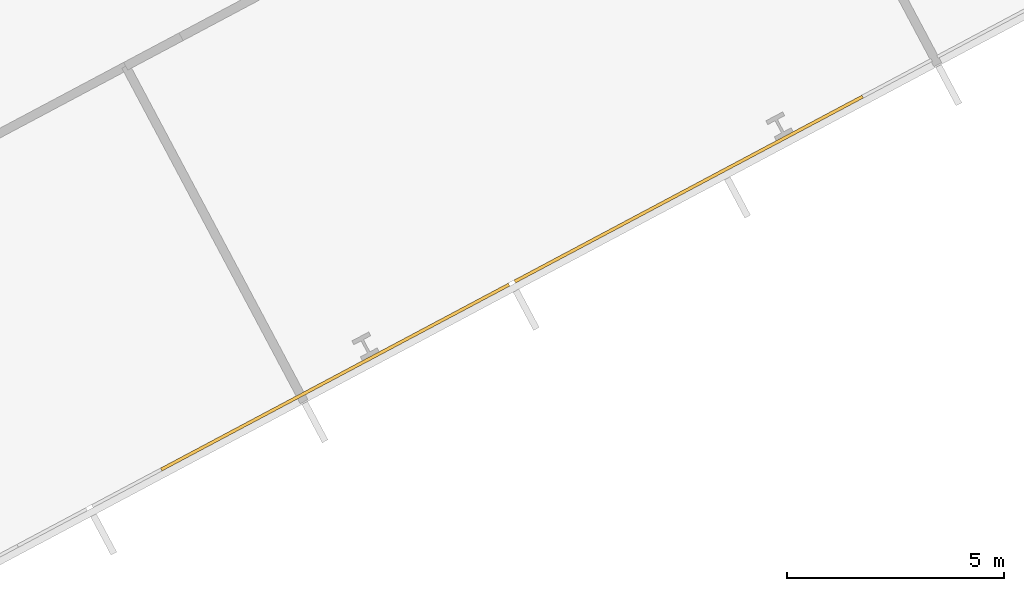
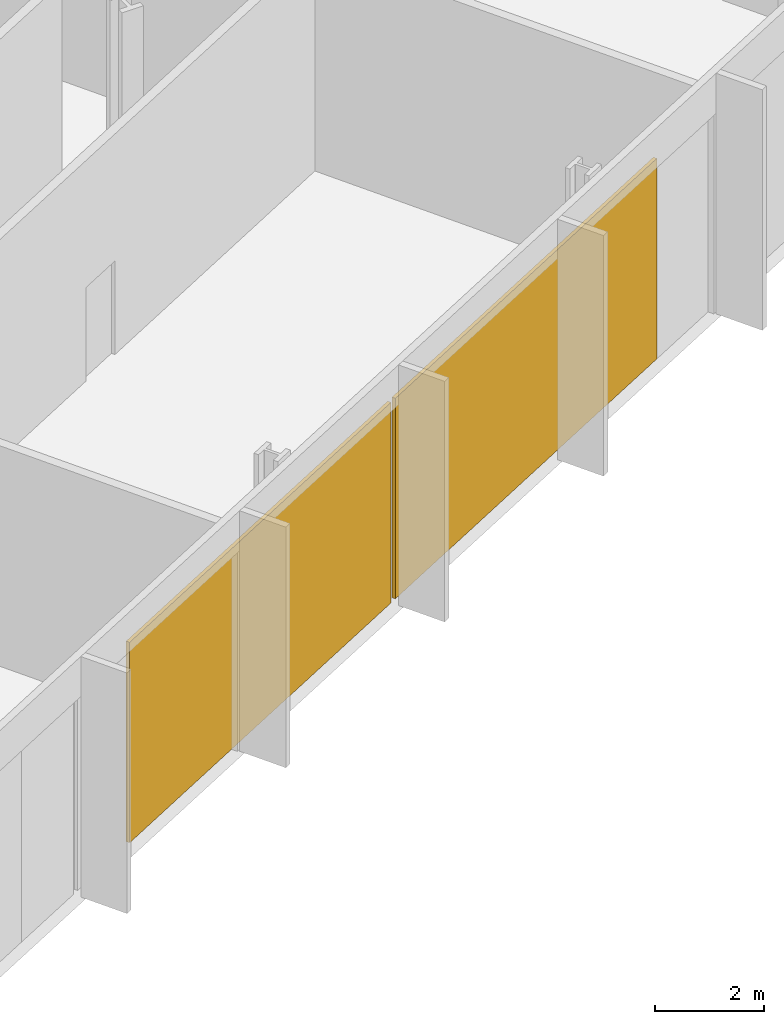
# One storey, part 27 of 30: 2 coverings, 1 element without a shape of its own.
"""IFC4 building model written with IfcOpenShell, lengths in metres."""

from ifc_helpers import new_model, si_unit, direction, frame, origin, origin_2d, place, context, subcontext, project, spatial, rectangle, extrude, material, layer, layer_set, type_object, element, aggregate, save


model = new_model("IFC4")

# Units and contexts
model_context = context("Model", 3, precision=1e-05, world=origin(), true_north=direction((0.0, 1.0)))
body_context = subcontext(model_context, "Body", "Model", "MODEL_VIEW")
ifc_project = project(units=[si_unit("LENGTHUNIT", "METRE"), si_unit("AREAUNIT", "SQUARE_METRE"), si_unit("VOLUMEUNIT", "CUBIC_METRE"), si_unit("PLANEANGLEUNIT", "RADIAN"), si_unit("MASSUNIT", "GRAM", prefix="KILO")], contexts=[model_context])

# Site, building, storey
site_placement = place(None, origin())
site = spatial("IfcSite", under=ifc_project, at=site_placement, CompositionType="ELEMENT")
building_placement = place(site_placement, origin())
building = spatial("IfcBuilding", under=site, at=building_placement, Name="Cormorant Relay Tower", CompositionType="ELEMENT")
storey_placement = place(building_placement, frame((0.0, 0.0, 55.39990234375)))
storey = spatial("IfcBuildingStorey", under=building, at=storey_placement, Name="L10", CompositionType="ELEMENT", Elevation=55.39990234375)

# Curtain wall, coverings
ifc_material_1 = material(Name="Aluminium 6063-T6 anodised bronze", Category="aluminium")
ifc_layer_1 = layer(ifc_material_1, 0.235107421875)
ifc_layer_set_1 = layer_set([ifc_layer_1], Name="CW6 data hall curtain wall with mineral wool panels")
curtain_wall_type = type_object("IfcCurtainWallType", Name="CW6 data hall curtain wall with mineral wool panels", PredefinedType="NOTDEFINED", material=ifc_layer_set_1)
curtain_wall_placement = place(storey_placement, origin())
curtain_wall = element("IfcCurtainWall", 1, at=curtain_wall_placement, inside=storey, type_object=curtain_wall_type, Name="CW6 curtain wall 2", PredefinedType="NOTDEFINED")
ifc_material_2 = material(Name="Mineral wool cored anodised bronze aluminium cassette panel", Category="aluminium")
ifc_layer_2 = layer(ifc_material_2, 0.074951171875)
ifc_layer_set_2 = layer_set([ifc_layer_2], Name="CW6 mineral wool cassette panel 75")
covering_type = type_object("IfcCoveringType", Name="CW6 mineral wool cassette panel 75", PredefinedType="CLADDING", material=ifc_layer_set_2)
covering_1_placement = place(storey_placement, frame((52.127685546875, 3.890380859375, 0.0), z_axis=(0.0, 0.0, 1.0), x_axis=(0.882947592859, 0.469471562786, 0.0)))
covering_1 = element("IfcCovering", 2, at=covering_1_placement, type_object=covering_type, Name="CW6 panel S10", PredefinedType="CLADDING", context=body_context, shape_type="SweptSolid", body=[
    extrude(rectangle(XDim=9.07373046875, YDim=0.074951171875, at=origin_2d()), origin(), (0.0, 0.0, 1.0), 4.5),
])
covering_2_placement = place(storey_placement, frame((60.27197265625, 8.220703125, 0.0), z_axis=(0.0, 0.0, 1.0), x_axis=(0.882947592859, 0.469471562786, 0.0)))
covering_2 = element("IfcCovering", 3, at=covering_2_placement, type_object=covering_type, Name="CW6 panel S11", PredefinedType="CLADDING", context=body_context, shape_type="SweptSolid", body=[
    extrude(rectangle(XDim=9.07373046875, YDim=0.074951171875, at=origin_2d()), origin(), (0.0, 0.0, 1.0), 4.5),
])
aggregate(curtain_wall, [covering_1, covering_2])

save(model, "model.ifc")
